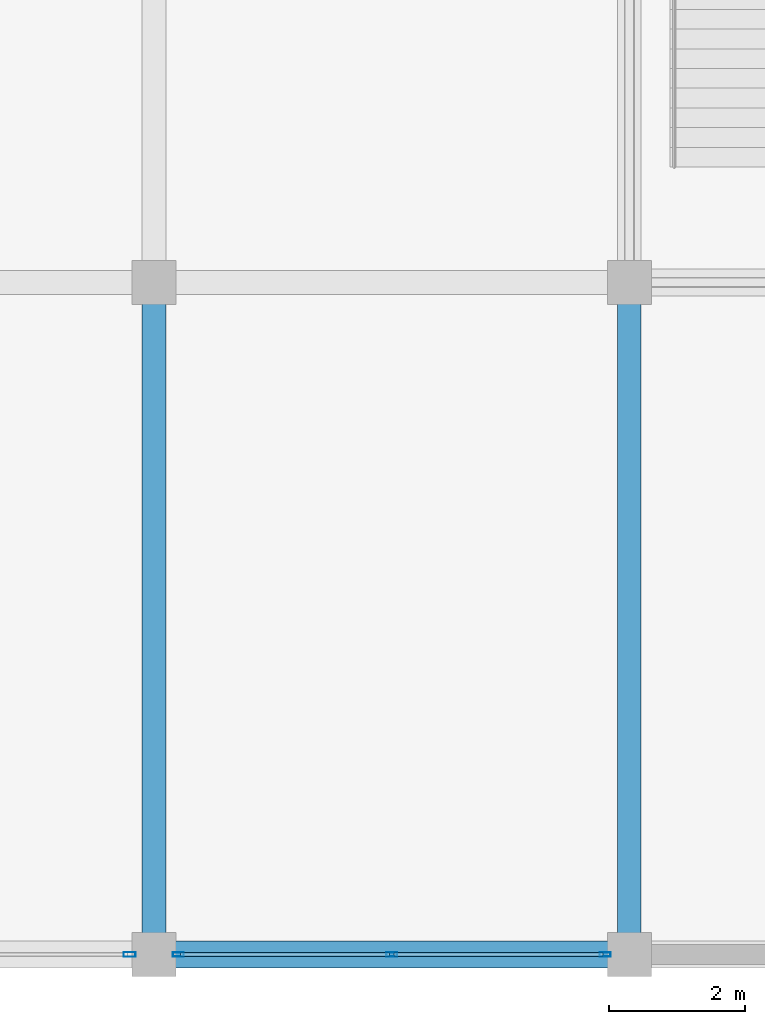
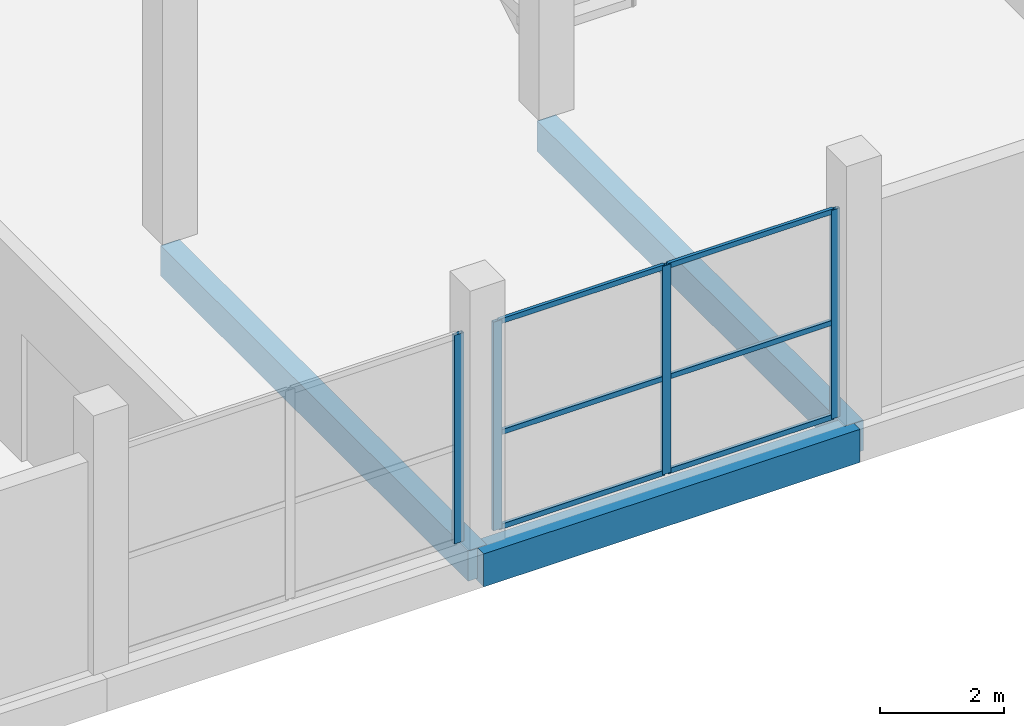
# One storey, part 4 of 67: 10 members, 3 beams, 2 elements without a shape of their own.
"""IFC4 building model written with IfcOpenShell, lengths in metres."""

from ifc_helpers import new_model, si_unit, direction, frame, origin, origin_2d, place, context, subcontext, project, spatial, rectangle, hollow_rectangle, extrude, material, layer, layer_set, material_profile, profile_set, type_object, element, aggregate, save


model = new_model("IFC4")

# Units and contexts
model_context = context("Model", 3, precision=1e-05, world=origin(), true_north=direction((0.0, 1.0)))
body_context = subcontext(model_context, "Body", "Model", "MODEL_VIEW")
ifc_project = project(units=[si_unit("LENGTHUNIT", "METRE"), si_unit("AREAUNIT", "SQUARE_METRE"), si_unit("VOLUMEUNIT", "CUBIC_METRE"), si_unit("PLANEANGLEUNIT", "RADIAN"), si_unit("MASSUNIT", "GRAM", prefix="KILO")], contexts=[model_context])

# Site, building, storey
site_placement = place(None, origin())
site = spatial("IfcSite", under=ifc_project, at=site_placement, CompositionType="ELEMENT")
building_placement = place(site_placement, origin())
building = spatial("IfcBuilding", under=site, at=building_placement, Name="Sillaruma Civic Art Gallery", CompositionType="ELEMENT")
storey_placement = place(building_placement, frame((0.0, 0.0, 46.919921875)))
storey = spatial("IfcBuildingStorey", under=building, at=storey_placement, Name="L09", CompositionType="ELEMENT", Elevation=46.919921875)

# Beams
ifc_material_1 = material(Name="Concrete H35 (35 MPa)", Category="concrete")
ifc_material_profile_1 = material_profile(ifc_material_1, rectangle(XDim=0.35009765625, YDim=0.60009765625, at=origin_2d()), Name="RCB350x600")
ifc_profile_set_1 = profile_set([ifc_material_profile_1], Name="Concrete H35 (35 MPa)")
beam_type_1 = type_object("IfcBeamType", Name="BM-BEAM-RCB350x600", PredefinedType="BEAM", material=ifc_profile_set_1)
for number, where, z_axis, x_axis, name in (
    (1, (77.0, 19.800048828125, -0.5498046875), (0.0, 1.0, 0.0), (-1.0, 0.0, 0.0), "Beam BM-06 (L08:H:3-4)"),
    (2, (84.0, 19.800048828125, -0.5498046875), (0.0, 1.0, 0.0), (-1.0, 0.0, 0.0), "Beam BM-06 (L08:J:3-4)"),
):
    element("IfcBeam", number, at=place(storey_placement, frame(where, z_axis=z_axis, x_axis=x_axis)), inside=storey, type_object=beam_type_1, Name=name, PredefinedType="BEAM", context=body_context, shape_type="SweptSolid", body=[
        extrude(rectangle(XDim=0.35009765625, YDim=0.60009765625, at=origin_2d()), origin(), (0.0, 0.0, 1.0), 9.89990234375),
    ])
ifc_material_profile_2 = material_profile(ifc_material_1, rectangle(XDim=0.39990234375, YDim=0.64990234375, at=origin_2d()), Name="RCB400x650")
ifc_profile_set_2 = profile_set([ifc_material_profile_2], Name="Concrete H35 (35 MPa)")
beam_type_2 = type_object("IfcBeamType", Name="BM-SPANDREL-RCB400x650", PredefinedType="SPANDREL", material=ifc_profile_set_2)
beam_placement = place(storey_placement, frame((77.0, 19.800048828125, -0.574951171875), z_axis=(1.0, 0.0, 0.0), x_axis=(0.0, 1.0, 0.0)))
element("IfcBeam", 3, at=beam_placement, inside=storey, type_object=beam_type_2, Name="Beam BS-02 (L08:3:H-J)", PredefinedType="SPANDREL", context=body_context, shape_type="SweptSolid", body=[
    extrude(rectangle(XDim=0.39990234375, YDim=0.64990234375, at=origin_2d()), origin(), (0.0, 0.0, 1.0), 7.0),
])

# Curtain wall, members
ifc_material_2 = material(Name="Thermally Broken Extruded Aluminium 6063-T6", Category="aluminium")
ifc_layer_1 = layer(ifc_material_2, 0.159912109375, Name="Thermally Broken Extruded Aluminium 6063-T6")
ifc_layer_set_1 = layer_set([ifc_layer_1], Name="Thermally Broken Extruded Aluminium 6063-T6")
curtain_wall_type_1 = type_object("IfcCurtainWallType", Name="CW-UNI-68", PredefinedType="NOTDEFINED", material=ifc_layer_set_1)
curtain_wall_1_placement = place(storey_placement, origin())
curtain_wall_1 = element("IfcCurtainWall", 4, at=curtain_wall_1_placement, inside=storey, type_object=curtain_wall_type_1, Name="Unitised Curtain Wall CW-68 (CW-L09-WBS-3)", PredefinedType="NOTDEFINED")
ifc_material_profile_3 = material_profile(ifc_material_2, hollow_rectangle(XDim=0.06494140625, YDim=0.159912109375, WallThickness=0.00390625, at=origin_2d()), Name="CWM65x160")
ifc_profile_set_3 = profile_set([ifc_material_profile_3], Name="Thermally Broken Extruded Aluminium 6063-T6")
member_type_1 = type_object("IfcMemberType", Name="MEM-MUL-CWM65x160", PredefinedType="MULLION", material=ifc_profile_set_3)
member_1_placement = place(storey_placement, frame((77.357421875, 19.800048828125, 0.0), z_axis=(0.0, 0.0, 1.0), x_axis=(0.0, 1.0, 0.0)))
member_1 = element("IfcMember", 5, at=member_1_placement, type_object=member_type_1, Name="CW-68 mullion 1", PredefinedType="MULLION", context=body_context, shape_type="SweptSolid", body=[
    extrude(hollow_rectangle(XDim=0.06494140625, YDim=0.159912109375, WallThickness=0.00390625, at=origin_2d()), origin(), (0.0, 0.0, 1.0), 4.10009765625),
])
member_2_placement = place(storey_placement, frame((80.5, 19.800048828125, 0.0), z_axis=(0.0, 0.0, 1.0), x_axis=(0.0, 1.0, 0.0)))
member_2 = element("IfcMember", 6, at=member_2_placement, type_object=member_type_1, Name="CW-68 mullion 2", PredefinedType="MULLION", context=body_context, shape_type="SweptSolid", body=[
    extrude(hollow_rectangle(XDim=0.06494140625, YDim=0.159912109375, WallThickness=0.00390625, at=origin_2d()), origin(), (0.0, 0.0, 1.0), 4.10009765625),
])
member_3_placement = place(storey_placement, frame((83.642578125, 19.800048828125, 0.0), z_axis=(0.0, 0.0, 1.0), x_axis=(0.0, 1.0, 0.0)))
member_3 = element("IfcMember", 7, at=member_3_placement, type_object=member_type_1, Name="CW-68 mullion 3", PredefinedType="MULLION", context=body_context, shape_type="SweptSolid", body=[
    extrude(hollow_rectangle(XDim=0.06494140625, YDim=0.159912109375, WallThickness=0.00390625, at=origin_2d()), origin(), (0.0, 0.0, 1.0), 4.10009765625),
])

# Curtain wall, member
ifc_layer_2 = layer(ifc_material_2, 0.179931640625, Name="Thermally Broken Extruded Aluminium 6063-T6")
ifc_layer_set_2 = layer_set([ifc_layer_2], Name="Thermally Broken Extruded Aluminium 6063-T6")
curtain_wall_type_2 = type_object("IfcCurtainWallType", Name="CW-UNI-67", PredefinedType="NOTDEFINED", material=ifc_layer_set_2)
curtain_wall_2_placement = place(storey_placement, origin())
curtain_wall_2 = element("IfcCurtainWall", 8, at=curtain_wall_2_placement, inside=storey, type_object=curtain_wall_type_2, Name="Unitised Curtain Wall CW-67 (CW-L09-WBS-2)", PredefinedType="NOTDEFINED")
ifc_material_profile_4 = material_profile(ifc_material_2, hollow_rectangle(XDim=0.070068359375, YDim=0.179931640625, WallThickness=0.00390625, at=origin_2d()), Name="CWM70x180")
ifc_profile_set_4 = profile_set([ifc_material_profile_4], Name="Thermally Broken Extruded Aluminium 6063-T6")
member_type_2 = type_object("IfcMemberType", Name="MEM-MUL-CWM70x180", PredefinedType="MULLION", material=ifc_profile_set_4)
member_4_placement = place(storey_placement, frame((76.639892578125, 19.800048828125, 0.0), z_axis=(0.0, 0.0, 1.0), x_axis=(0.0, 1.0, 0.0)))
member_4 = element("IfcMember", 9, at=member_4_placement, type_object=member_type_2, Name="CW-67 mullion 3", PredefinedType="MULLION", context=body_context, shape_type="SweptSolid", body=[
    extrude(hollow_rectangle(XDim=0.070068359375, YDim=0.179931640625, WallThickness=0.00390625, at=origin_2d()), origin(), (0.0, 0.0, 1.0), 4.10009765625),
])
aggregate(curtain_wall_2, [member_4])

# Member
ifc_material_profile_5 = material_profile(ifc_material_2, hollow_rectangle(XDim=0.06005859375, YDim=0.10009765625, WallThickness=0.003173828125, at=origin_2d()), Name="CWT60x100")
ifc_profile_set_5 = profile_set([ifc_material_profile_5], Name="Thermally Broken Extruded Aluminium 6063-T6")
member_type_3 = type_object("IfcMemberType", Name="MEM-TRN-CWT60x100", PredefinedType="USERDEFINED", material=ifc_profile_set_5)
member_5_placement = place(storey_placement, frame((77.389892578125, 19.800048828125, 0.030029296875), z_axis=(1.0, 0.0, 0.0), x_axis=(0.0, 1.0, 0.0)))
member_5 = element("IfcMember", 10, at=member_5_placement, type_object=member_type_3, Name="CW-68 transom 1.1", ObjectType="TRANSOM", PredefinedType="USERDEFINED", context=body_context, shape_type="SweptSolid", body=[
    extrude(hollow_rectangle(XDim=0.06005859375, YDim=0.10009765625, WallThickness=0.003173828125, at=origin_2d()), origin(), (0.0, 0.0, 1.0), 3.07763671875),
])

member_6_placement = place(storey_placement, frame((77.389892578125, 19.800048828125, 1.885986328125), z_axis=(1.0, 0.0, 0.0), x_axis=(0.0, 1.0, 0.0)))
member_6 = element("IfcMember", 11, at=member_6_placement, type_object=member_type_3, Name="CW-68 transom 1.2", ObjectType="TRANSOM", PredefinedType="USERDEFINED", context=body_context, shape_type="SweptSolid", body=[
    extrude(hollow_rectangle(XDim=0.06005859375, YDim=0.10009765625, WallThickness=0.003173828125, at=origin_2d()), origin(), (0.0, 0.0, 1.0), 3.07763671875),
])

member_7_placement = place(storey_placement, frame((77.389892578125, 19.800048828125, 4.070068359375), z_axis=(1.0, 0.0, 0.0), x_axis=(0.0, 1.0, 0.0)))
member_7 = element("IfcMember", 12, at=member_7_placement, type_object=member_type_3, Name="CW-68 transom 1.3", ObjectType="TRANSOM", PredefinedType="USERDEFINED", context=body_context, shape_type="SweptSolid", body=[
    extrude(hollow_rectangle(XDim=0.06005859375, YDim=0.10009765625, WallThickness=0.003173828125, at=origin_2d()), origin(), (0.0, 0.0, 1.0), 3.07763671875),
])

member_8_placement = place(storey_placement, frame((80.532470703125, 19.800048828125, 0.030029296875), z_axis=(1.0, 0.0, 0.0), x_axis=(0.0, 1.0, 0.0)))
member_8 = element("IfcMember", 13, at=member_8_placement, type_object=member_type_3, Name="CW-68 transom 2.1", ObjectType="TRANSOM", PredefinedType="USERDEFINED", context=body_context, shape_type="SweptSolid", body=[
    extrude(hollow_rectangle(XDim=0.06005859375, YDim=0.10009765625, WallThickness=0.003173828125, at=origin_2d()), origin(), (0.0, 0.0, 1.0), 3.07763671875),
])

member_9_placement = place(storey_placement, frame((80.532470703125, 19.800048828125, 1.885986328125), z_axis=(1.0, 0.0, 0.0), x_axis=(0.0, 1.0, 0.0)))
member_9 = element("IfcMember", 14, at=member_9_placement, type_object=member_type_3, Name="CW-68 transom 2.2", ObjectType="TRANSOM", PredefinedType="USERDEFINED", context=body_context, shape_type="SweptSolid", body=[
    extrude(hollow_rectangle(XDim=0.06005859375, YDim=0.10009765625, WallThickness=0.003173828125, at=origin_2d()), origin(), (0.0, 0.0, 1.0), 3.07763671875),
])

member_10_placement = place(storey_placement, frame((80.532470703125, 19.800048828125, 4.070068359375), z_axis=(1.0, 0.0, 0.0), x_axis=(0.0, 1.0, 0.0)))
member_10 = element("IfcMember", 15, at=member_10_placement, type_object=member_type_3, Name="CW-68 transom 2.3", ObjectType="TRANSOM", PredefinedType="USERDEFINED", context=body_context, shape_type="SweptSolid", body=[
    extrude(hollow_rectangle(XDim=0.06005859375, YDim=0.10009765625, WallThickness=0.003173828125, at=origin_2d()), origin(), (0.0, 0.0, 1.0), 3.07763671875),
])

aggregate(curtain_wall_1, [member_1, member_2, member_3, member_5, member_6, member_7, member_8, member_9, member_10])

save(model, "model.ifc")
